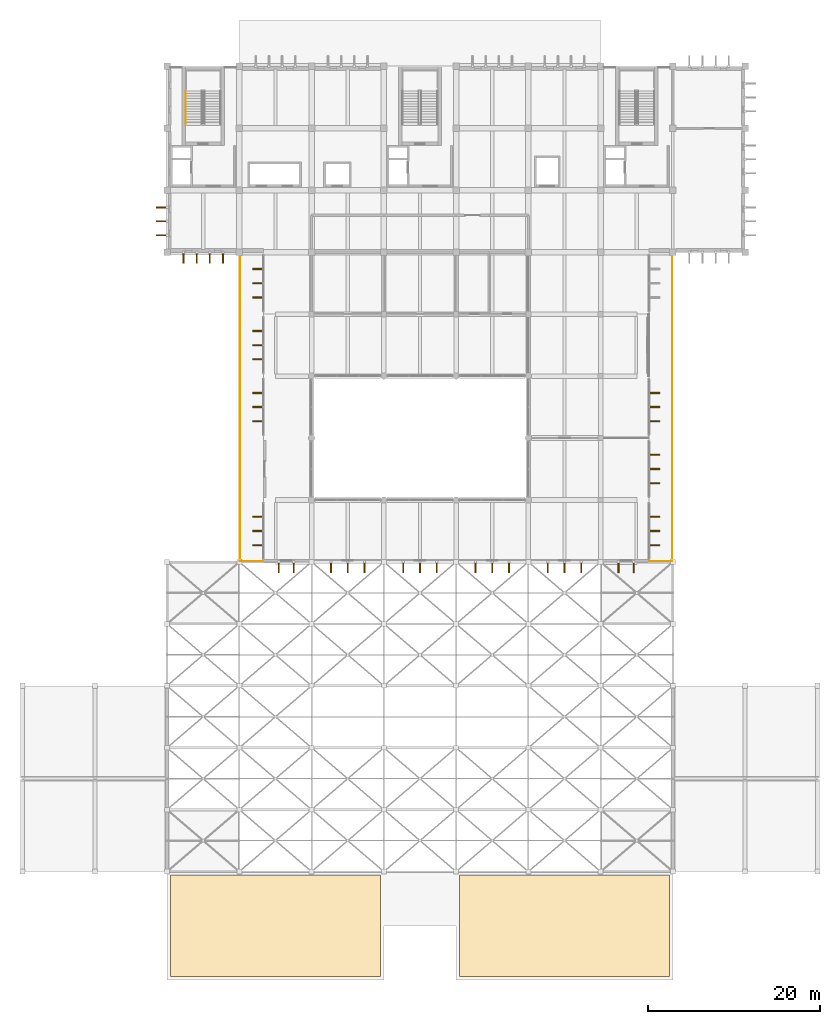
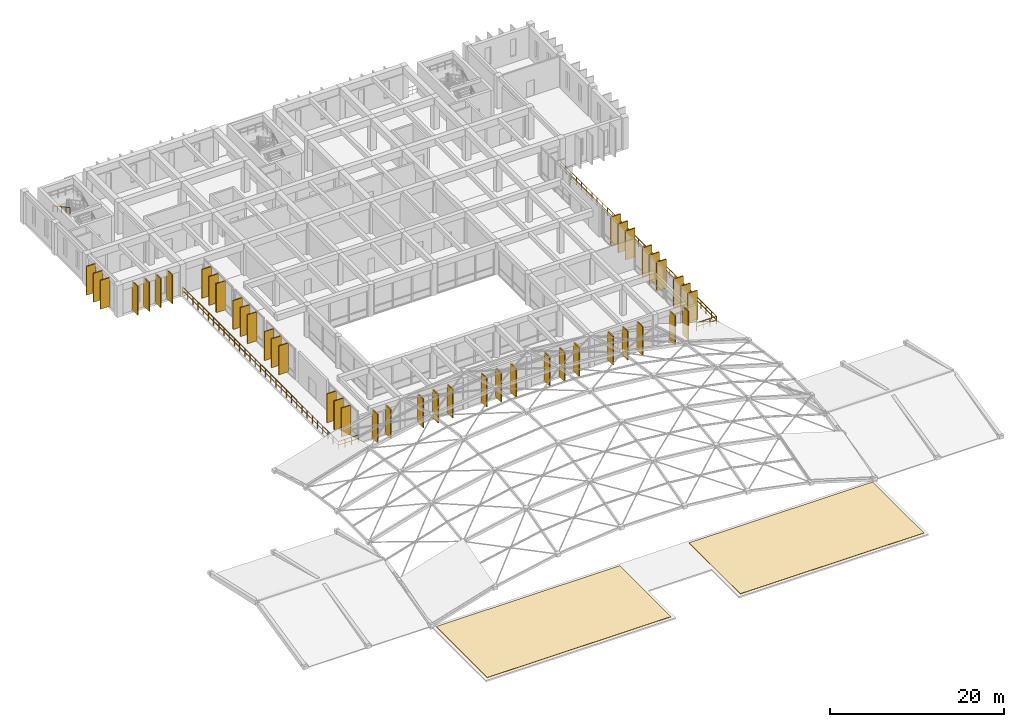
# One storey, part 21 of 23: 44 shading devices, 5 railings, 2 coverings.
"""IFC4 building model written with IfcOpenShell, lengths in metres."""

from ifc_helpers import new_model, si_unit, direction, frame, origin, origin_2d, place, context, subcontext, project, spatial, polyline, rectangle, circle, outline, extrude, material, layer, layer_set, type_object, element, save


model = new_model("IFC4")

# Units and contexts
model_context = context("Model", 3, precision=1e-05, world=origin(), true_north=direction((0.0, 1.0)))
body_context = subcontext(model_context, "Body", "Model", "MODEL_VIEW")
ifc_project = project(units=[si_unit("LENGTHUNIT", "METRE"), si_unit("AREAUNIT", "SQUARE_METRE"), si_unit("VOLUMEUNIT", "CUBIC_METRE"), si_unit("PLANEANGLEUNIT", "RADIAN"), si_unit("MASSUNIT", "GRAM", prefix="KILO")], contexts=[model_context])

# Site, building, storey
site_placement = place(None, origin())
site = spatial("IfcSite", under=ifc_project, at=site_placement, CompositionType="ELEMENT")
building_placement = place(site_placement, origin())
building = spatial("IfcBuilding", under=site, at=building_placement, Name="Kenerak Square Central Library", CompositionType="ELEMENT")
storey_placement = place(building_placement, frame((0.0, 0.0, 18.8798828125)))
storey = spatial("IfcBuildingStorey", under=building, at=storey_placement, Name="L04", CompositionType="ELEMENT", Elevation=18.8798828125)

# Coverings
ifc_material_1 = material(Name="Standing-seam zinc and rigid insulation", Category="steel")
ifc_layer = layer(ifc_material_1, 0.050048828125)
ifc_layer_set = layer_set([ifc_layer], Name="Standing-seam zinc and rigid insulation")
covering_type = type_object("IfcCoveringType", Name="Insulated Waterproofed Roof Membrane CV-ROOF", PredefinedType="ROOFING", material=ifc_layer_set)
covering_1_placement = place(storey_placement, origin())
element("IfcCovering", 1, at=covering_1_placement, inside=storey, type_object=covering_type, Name="Waterproofed Roof Membrane L04 05", PredefinedType="ROOFING", context=body_context, shape_type="SweptSolid", body=[
    extrude(outline(polyline([(58.800048828125, 4.60009765625), (83.199951171875, 4.60009765625), (83.199951171875, 16.39990234375), (58.800048828125, 16.39990234375), (58.800048828125, 4.60009765625)])), origin(), (0.0, 0.0, 1.0), 0.050048828125),
])
covering_2_placement = place(storey_placement, origin())
element("IfcCovering", 2, at=covering_2_placement, inside=storey, type_object=covering_type, Name="Waterproofed Roof Membrane L04 06", PredefinedType="ROOFING", context=body_context, shape_type="SweptSolid", body=[
    extrude(outline(polyline([(92.39990234375, 4.60009765625), (116.800048828125, 4.60009765625), (116.800048828125, 16.39990234375), (92.39990234375, 16.39990234375), (92.39990234375, 4.60009765625)])), origin(), (0.0, 0.0, 1.0), 0.050048828125),
])

# Shading devices
ifc_material_2 = material(Name="White precast concrete C40/50", Category="concrete")
shading_device_type = type_object("IfcShadingDeviceType", Name="Precast Vertical Solar Fin SF-1280 C40/50", PredefinedType="USERDEFINED", material=ifc_material_2)
for number, where, z_axis, x_axis, name in (
    (3, (112.63330078125, 52.179931640625, 0.10009765625), (0.0, 0.0, 1.0), (-1.0, 0.0, 0.0), "Precast Solar Fin FIN-01 L04 0327"),
    (4, (110.86669921875, 52.179931640625, 0.10009765625), (0.0, 0.0, 1.0), (-1.0, 0.0, 0.0), "Precast Solar Fin FIN-01 L04 0328"),
    (5, (106.550048828125, 52.179931640625, 0.10009765625), (0.0, 0.0, 1.0), (-1.0, 0.0, 0.0), "Precast Solar Fin FIN-01 L04 0329"),
    (6, (104.60009765625, 52.179931640625, 0.10009765625), (0.0, 0.0, 1.0), (-1.0, 0.0, 0.0), "Precast Solar Fin FIN-01 L04 0330"),
    (7, (102.64990234375, 52.179931640625, 0.10009765625), (0.0, 0.0, 1.0), (-1.0, 0.0, 0.0), "Precast Solar Fin FIN-01 L04 0331"),
    (8, (98.14990234375, 52.179931640625, 0.10009765625), (0.0, 0.0, 1.0), (-1.0, 0.0, 0.0), "Precast Solar Fin FIN-01 L04 0332"),
    (9, (96.199951171875, 52.179931640625, 0.10009765625), (0.0, 0.0, 1.0), (-1.0, 0.0, 0.0), "Precast Solar Fin FIN-01 L04 0333"),
    (10, (94.25, 52.179931640625, 0.10009765625), (0.0, 0.0, 1.0), (-1.0, 0.0, 0.0), "Precast Solar Fin FIN-01 L04 0334"),
    (11, (89.75, 52.179931640625, 0.10009765625), (0.0, 0.0, 1.0), (-1.0, 0.0, 0.0), "Precast Solar Fin FIN-01 L04 0335"),
    (12, (87.800048828125, 52.179931640625, 0.10009765625), (0.0, 0.0, 1.0), (-1.0, 0.0, 0.0), "Precast Solar Fin FIN-01 L04 0336"),
    (13, (85.85009765625, 52.179931640625, 0.10009765625), (0.0, 0.0, 1.0), (-1.0, 0.0, 0.0), "Precast Solar Fin FIN-01 L04 0337"),
    (14, (81.35009765625, 52.179931640625, 0.10009765625), (0.0, 0.0, 1.0), (-1.0, 0.0, 0.0), "Precast Solar Fin FIN-01 L04 0338"),
    (15, (79.39990234375, 52.179931640625, 0.10009765625), (0.0, 0.0, 1.0), (-1.0, 0.0, 0.0), "Precast Solar Fin FIN-01 L04 0339"),
    (16, (77.449951171875, 52.179931640625, 0.10009765625), (0.0, 0.0, 1.0), (-1.0, 0.0, 0.0), "Precast Solar Fin FIN-01 L04 0340"),
    (17, (73.13330078125, 52.179931640625, 0.10009765625), (0.0, 0.0, 1.0), (-1.0, 0.0, 0.0), "Precast Solar Fin FIN-01 L04 0341"),
    (18, (71.36669921875, 52.179931640625, 0.10009765625), (0.0, 0.0, 1.0), (-1.0, 0.0, 0.0), "Precast Solar Fin FIN-01 L04 0342"),
    (19, (68.97998046875, 54.75, 0.10009765625), (0.0, 0.0, 1.0), (0.0, 1.0, 0.0), "Precast Solar Fin FIN-01 L04 0343"),
    (20, (68.97998046875, 56.39990234375, 0.10009765625), (0.0, 0.0, 1.0), (0.0, 1.0, 0.0), "Precast Solar Fin FIN-01 L04 0344"),
    (21, (68.97998046875, 58.050048828125, 0.10009765625), (0.0, 0.0, 1.0), (0.0, 1.0, 0.0), "Precast Solar Fin FIN-01 L04 0345"),
    (22, (68.97998046875, 69.14990234375, 0.10009765625), (0.0, 0.0, 1.0), (0.0, 1.0, 0.0), "Precast Solar Fin FIN-01 L04 0346"),
    (23, (68.97998046875, 70.800048828125, 0.10009765625), (0.0, 0.0, 1.0), (0.0, 1.0, 0.0), "Precast Solar Fin FIN-01 L04 0347"),
    (24, (68.97998046875, 72.449951171875, 0.10009765625), (0.0, 0.0, 1.0), (0.0, 1.0, 0.0), "Precast Solar Fin FIN-01 L04 0348"),
    (25, (68.97998046875, 76.35009765625, 0.10009765625), (0.0, 0.0, 1.0), (0.0, 1.0, 0.0), "Precast Solar Fin FIN-01 L04 0349"),
    (26, (68.97998046875, 78.0, 0.10009765625), (0.0, 0.0, 1.0), (0.0, 1.0, 0.0), "Precast Solar Fin FIN-01 L04 0350"),
    (27, (68.97998046875, 79.64990234375, 0.10009765625), (0.0, 0.0, 1.0), (0.0, 1.0, 0.0), "Precast Solar Fin FIN-01 L04 0351"),
    (28, (68.97998046875, 83.550048828125, 0.10009765625), (0.0, 0.0, 1.0), (0.0, 1.0, 0.0), "Precast Solar Fin FIN-01 L04 0352"),
    (29, (68.97998046875, 85.199951171875, 0.10009765625), (0.0, 0.0, 1.0), (0.0, 1.0, 0.0), "Precast Solar Fin FIN-01 L04 0353"),
    (30, (68.97998046875, 86.85009765625, 0.10009765625), (0.0, 0.0, 1.0), (0.0, 1.0, 0.0), "Precast Solar Fin FIN-01 L04 0354"),
    (31, (64.89501953125, 88.179931640625, 0.10009765625), (0.0, 0.0, 1.0), (-1.0, 0.0, 0.0), "Precast Solar Fin FIN-01 L04 0355"),
    (32, (63.364990234375, 88.179931640625, 0.10009765625), (0.0, 0.0, 1.0), (-1.0, 0.0, 0.0), "Precast Solar Fin FIN-01 L04 0356"),
    (33, (61.8349609375, 88.179931640625, 0.10009765625), (0.0, 0.0, 1.0), (-1.0, 0.0, 0.0), "Precast Solar Fin FIN-01 L04 0357"),
    (34, (60.304931640625, 88.179931640625, 0.10009765625), (0.0, 0.0, 1.0), (-1.0, 0.0, 0.0), "Precast Solar Fin FIN-01 L04 0358"),
    (35, (57.780029296875, 90.78759765625, 0.10009765625), (0.0, 0.0, 1.0), (0.0, 1.0, 0.0), "Precast Solar Fin FIN-01 L04 0359"),
    (36, (57.780029296875, 92.39990234375, 0.10009765625), (0.0, 0.0, 1.0), (0.0, 1.0, 0.0), "Precast Solar Fin FIN-01 L04 0360"),
    (37, (57.780029296875, 94.012451171875, 0.10009765625), (0.0, 0.0, 1.0), (0.0, 1.0, 0.0), "Precast Solar Fin FIN-01 L04 0361"),
    (38, (115.02001953125, 72.449951171875, 0.10009765625), (0.0, 0.0, 1.0), (0.0, -1.0, 0.0), "Precast Solar Fin FIN-01 L04 0398"),
    (39, (115.02001953125, 70.800048828125, 0.10009765625), (0.0, 0.0, 1.0), (0.0, -1.0, 0.0), "Precast Solar Fin FIN-01 L04 0399"),
    (40, (115.02001953125, 69.14990234375, 0.10009765625), (0.0, 0.0, 1.0), (0.0, -1.0, 0.0), "Precast Solar Fin FIN-01 L04 0400"),
    (41, (115.02001953125, 65.25, 0.10009765625), (0.0, 0.0, 1.0), (0.0, -1.0, 0.0), "Precast Solar Fin FIN-01 L04 0401"),
    (42, (115.02001953125, 63.60009765625, 0.10009765625), (0.0, 0.0, 1.0), (0.0, -1.0, 0.0), "Precast Solar Fin FIN-01 L04 0402"),
    (43, (115.02001953125, 61.949951171875, 0.10009765625), (0.0, 0.0, 1.0), (0.0, -1.0, 0.0), "Precast Solar Fin FIN-01 L04 0403"),
    (44, (115.02001953125, 58.050048828125, 0.10009765625), (0.0, 0.0, 1.0), (0.0, -1.0, 0.0), "Precast Solar Fin FIN-01 L04 0404"),
    (45, (115.02001953125, 56.39990234375, 0.10009765625), (0.0, 0.0, 1.0), (0.0, -1.0, 0.0), "Precast Solar Fin FIN-01 L04 0405"),
    (46, (115.02001953125, 54.75, 0.10009765625), (0.0, 0.0, 1.0), (0.0, -1.0, 0.0), "Precast Solar Fin FIN-01 L04 0406"),
):
    element("IfcShadingDevice", number, at=place(storey_placement, frame(where, z_axis=z_axis, x_axis=x_axis)), inside=storey, type_object=shading_device_type, Name=name, ObjectType="FIN", PredefinedType="USERDEFINED", context=body_context, shape_type="SweptSolid", body=[
        extrude(rectangle(XDim=0.139892578125, YDim=1.280029296875, at=origin_2d()), origin(), (0.0, 0.0, 1.0), 4.054931640625),
    ])

# Railings
ifc_material_3 = material(Name="Steel S355", Category="steel")
railing_type_1 = type_object("IfcRailingType", Name="Safety Guardrail GR-1100 S355", PredefinedType="GUARDRAIL", material=ifc_material_3)
railing_1_placement = place(storey_placement, frame((66.8798828125, 52.8798828125, 0.0)))
element("IfcRailing", 47, at=railing_1_placement, inside=storey, type_object=railing_type_1, Name="West Court Reading Terrace L04 Guardrail W", PredefinedType="GUARDRAIL", context=body_context, shape_type="SweptSolid", body=[
    extrude(circle(Radius=0.02392578125, at=origin_2d()), frame((0.0, 0.0, 1.076171875), z_axis=(0.0, 1.0, 0.0), x_axis=(-1.0, 0.0, 0.0)), (0.0, 0.0, 1.0), 35.840087890625),
    extrude(circle(Radius=0.01806640625, at=origin_2d()), frame((0.0, 0.0, 0.572021484375), z_axis=(0.0, 1.0, 0.0), x_axis=(-1.0, 0.0, 0.0)), (0.0, 0.0, 1.0), 35.840087890625),
    extrude(circle(Radius=0.02099609375, at=origin_2d()), origin(), (0.0, 0.0, 1.0), 1.052001953125),
    extrude(circle(Radius=0.02099609375, at=origin_2d()), frame((0.0, 1.194580078125, 0.0)), (0.0, 0.0, 1.0), 1.052001953125),
    extrude(circle(Radius=0.02099609375, at=origin_2d()), frame((0.0, 2.389404296875, 0.0)), (0.0, 0.0, 1.0), 1.052001953125),
    extrude(circle(Radius=0.02099609375, at=origin_2d()), frame((0.0, 3.583984375, 0.0)), (0.0, 0.0, 1.0), 1.052001953125),
    extrude(circle(Radius=0.02099609375, at=origin_2d()), frame((0.0, 4.778564453125, 0.0)), (0.0, 0.0, 1.0), 1.052001953125),
    extrude(circle(Radius=0.02099609375, at=origin_2d()), frame((0.0, 5.973388671875, 0.0)), (0.0, 0.0, 1.0), 1.052001953125),
    extrude(circle(Radius=0.02099609375, at=origin_2d()), frame((0.0, 7.16796875, 0.0)), (0.0, 0.0, 1.0), 1.052001953125),
    extrude(circle(Radius=0.02099609375, at=origin_2d()), frame((0.0, 8.36279296875, 0.0)), (0.0, 0.0, 1.0), 1.052001953125),
    extrude(circle(Radius=0.02099609375, at=origin_2d()), frame((0.0, 9.557373046875, 0.0)), (0.0, 0.0, 1.0), 1.052001953125),
    extrude(circle(Radius=0.02099609375, at=origin_2d()), frame((0.0, 10.751953125, 0.0)), (0.0, 0.0, 1.0), 1.052001953125),
    extrude(circle(Radius=0.02099609375, at=origin_2d()), frame((0.0, 11.94677734375, 0.0)), (0.0, 0.0, 1.0), 1.052001953125),
    extrude(circle(Radius=0.02099609375, at=origin_2d()), frame((0.0, 13.141357421875, 0.0)), (0.0, 0.0, 1.0), 1.052001953125),
    extrude(circle(Radius=0.02099609375, at=origin_2d()), frame((0.0, 14.3359375, 0.0)), (0.0, 0.0, 1.0), 1.052001953125),
    extrude(circle(Radius=0.02099609375, at=origin_2d()), frame((0.0, 15.53076171875, 0.0)), (0.0, 0.0, 1.0), 1.052001953125),
    extrude(circle(Radius=0.02099609375, at=origin_2d()), frame((0.0, 16.725341796875, 0.0)), (0.0, 0.0, 1.0), 1.052001953125),
    extrude(circle(Radius=0.02099609375, at=origin_2d()), frame((0.0, 17.919921875, 0.0)), (0.0, 0.0, 1.0), 1.052001953125),
    extrude(circle(Radius=0.02099609375, at=origin_2d()), frame((0.0, 19.11474609375, 0.0)), (0.0, 0.0, 1.0), 1.052001953125),
    extrude(circle(Radius=0.02099609375, at=origin_2d()), frame((0.0, 20.309326171875, 0.0)), (0.0, 0.0, 1.0), 1.052001953125),
    extrude(circle(Radius=0.02099609375, at=origin_2d()), frame((0.0, 21.504150390625, 0.0)), (0.0, 0.0, 1.0), 1.052001953125),
    extrude(circle(Radius=0.02099609375, at=origin_2d()), frame((0.0, 22.69873046875, 0.0)), (0.0, 0.0, 1.0), 1.052001953125),
    extrude(circle(Radius=0.02099609375, at=origin_2d()), frame((0.0, 23.893310546875, 0.0)), (0.0, 0.0, 1.0), 1.052001953125),
    extrude(circle(Radius=0.02099609375, at=origin_2d()), frame((0.0, 25.088134765625, 0.0)), (0.0, 0.0, 1.0), 1.052001953125),
    extrude(circle(Radius=0.02099609375, at=origin_2d()), frame((0.0, 26.28271484375, 0.0)), (0.0, 0.0, 1.0), 1.052001953125),
    extrude(circle(Radius=0.02099609375, at=origin_2d()), frame((0.0, 27.477294921875, 0.0)), (0.0, 0.0, 1.0), 1.052001953125),
    extrude(circle(Radius=0.02099609375, at=origin_2d()), frame((0.0, 28.672119140625, 0.0)), (0.0, 0.0, 1.0), 1.052001953125),
    extrude(circle(Radius=0.02099609375, at=origin_2d()), frame((0.0, 29.86669921875, 0.0)), (0.0, 0.0, 1.0), 1.052001953125),
    extrude(circle(Radius=0.02099609375, at=origin_2d()), frame((0.0, 31.0615234375, 0.0)), (0.0, 0.0, 1.0), 1.052001953125),
    extrude(circle(Radius=0.02099609375, at=origin_2d()), frame((0.0, 32.256103515625, 0.0)), (0.0, 0.0, 1.0), 1.052001953125),
    extrude(circle(Radius=0.02099609375, at=origin_2d()), frame((0.0, 33.45068359375, 0.0)), (0.0, 0.0, 1.0), 1.052001953125),
    extrude(circle(Radius=0.02099609375, at=origin_2d()), frame((0.0, 34.6455078125, 0.0)), (0.0, 0.0, 1.0), 1.052001953125),
    extrude(circle(Radius=0.02099609375, at=origin_2d()), frame((0.0, 35.840087890625, 0.0)), (0.0, 0.0, 1.0), 1.052001953125),
])
railing_2_placement = place(storey_placement, frame((66.8798828125, 52.8798828125, 0.0)))
element("IfcRailing", 48, at=railing_2_placement, inside=storey, type_object=railing_type_1, Name="West Court Reading Terrace L04 Guardrail S", PredefinedType="GUARDRAIL", context=body_context, shape_type="SweptSolid", body=[
    extrude(circle(Radius=0.02392578125, at=origin_2d()), frame((0.0, 0.0, 1.076171875), z_axis=(1.0, 0.0, 0.0), x_axis=(0.0, 1.0, 0.0)), (0.0, 0.0, 1.0), 2.64013671875),
    extrude(circle(Radius=0.01806640625, at=origin_2d()), frame((0.0, 0.0, 0.572021484375), z_axis=(1.0, 0.0, 0.0), x_axis=(0.0, 1.0, 0.0)), (0.0, 0.0, 1.0), 2.64013671875),
    extrude(circle(Radius=0.02099609375, at=origin_2d()), origin(), (0.0, 0.0, 1.0), 1.052001953125),
    extrude(circle(Radius=0.02099609375, at=origin_2d()), frame((0.880126953125, 0.0, 0.0)), (0.0, 0.0, 1.0), 1.052001953125),
    extrude(circle(Radius=0.02099609375, at=origin_2d()), frame((1.760009765625, 0.0, 0.0)), (0.0, 0.0, 1.0), 1.052001953125),
    extrude(circle(Radius=0.02099609375, at=origin_2d()), frame((2.64013671875, 0.0, 0.0)), (0.0, 0.0, 1.0), 1.052001953125),
])
railing_3_placement = place(storey_placement, frame((117.1201171875, 52.8798828125, 0.0)))
element("IfcRailing", 49, at=railing_3_placement, inside=storey, type_object=railing_type_1, Name="East Court Reading Terrace L04 Guardrail E", PredefinedType="GUARDRAIL", context=body_context, shape_type="SweptSolid", body=[
    extrude(circle(Radius=0.02392578125, at=origin_2d()), frame((0.0, 0.0, 1.076171875), z_axis=(0.0, 1.0, 0.0), x_axis=(-1.0, 0.0, 0.0)), (0.0, 0.0, 1.0), 35.840087890625),
    extrude(circle(Radius=0.01806640625, at=origin_2d()), frame((0.0, 0.0, 0.572021484375), z_axis=(0.0, 1.0, 0.0), x_axis=(-1.0, 0.0, 0.0)), (0.0, 0.0, 1.0), 35.840087890625),
    extrude(circle(Radius=0.02099609375, at=origin_2d()), origin(), (0.0, 0.0, 1.0), 1.052001953125),
    extrude(circle(Radius=0.02099609375, at=origin_2d()), frame((0.0, 1.194580078125, 0.0)), (0.0, 0.0, 1.0), 1.052001953125),
    extrude(circle(Radius=0.02099609375, at=origin_2d()), frame((0.0, 2.389404296875, 0.0)), (0.0, 0.0, 1.0), 1.052001953125),
    extrude(circle(Radius=0.02099609375, at=origin_2d()), frame((0.0, 3.583984375, 0.0)), (0.0, 0.0, 1.0), 1.052001953125),
    extrude(circle(Radius=0.02099609375, at=origin_2d()), frame((0.0, 4.778564453125, 0.0)), (0.0, 0.0, 1.0), 1.052001953125),
    extrude(circle(Radius=0.02099609375, at=origin_2d()), frame((0.0, 5.973388671875, 0.0)), (0.0, 0.0, 1.0), 1.052001953125),
    extrude(circle(Radius=0.02099609375, at=origin_2d()), frame((0.0, 7.16796875, 0.0)), (0.0, 0.0, 1.0), 1.052001953125),
    extrude(circle(Radius=0.02099609375, at=origin_2d()), frame((0.0, 8.36279296875, 0.0)), (0.0, 0.0, 1.0), 1.052001953125),
    extrude(circle(Radius=0.02099609375, at=origin_2d()), frame((0.0, 9.557373046875, 0.0)), (0.0, 0.0, 1.0), 1.052001953125),
    extrude(circle(Radius=0.02099609375, at=origin_2d()), frame((0.0, 10.751953125, 0.0)), (0.0, 0.0, 1.0), 1.052001953125),
    extrude(circle(Radius=0.02099609375, at=origin_2d()), frame((0.0, 11.94677734375, 0.0)), (0.0, 0.0, 1.0), 1.052001953125),
    extrude(circle(Radius=0.02099609375, at=origin_2d()), frame((0.0, 13.141357421875, 0.0)), (0.0, 0.0, 1.0), 1.052001953125),
    extrude(circle(Radius=0.02099609375, at=origin_2d()), frame((0.0, 14.3359375, 0.0)), (0.0, 0.0, 1.0), 1.052001953125),
    extrude(circle(Radius=0.02099609375, at=origin_2d()), frame((0.0, 15.53076171875, 0.0)), (0.0, 0.0, 1.0), 1.052001953125),
    extrude(circle(Radius=0.02099609375, at=origin_2d()), frame((0.0, 16.725341796875, 0.0)), (0.0, 0.0, 1.0), 1.052001953125),
    extrude(circle(Radius=0.02099609375, at=origin_2d()), frame((0.0, 17.919921875, 0.0)), (0.0, 0.0, 1.0), 1.052001953125),
    extrude(circle(Radius=0.02099609375, at=origin_2d()), frame((0.0, 19.11474609375, 0.0)), (0.0, 0.0, 1.0), 1.052001953125),
    extrude(circle(Radius=0.02099609375, at=origin_2d()), frame((0.0, 20.309326171875, 0.0)), (0.0, 0.0, 1.0), 1.052001953125),
    extrude(circle(Radius=0.02099609375, at=origin_2d()), frame((0.0, 21.504150390625, 0.0)), (0.0, 0.0, 1.0), 1.052001953125),
    extrude(circle(Radius=0.02099609375, at=origin_2d()), frame((0.0, 22.69873046875, 0.0)), (0.0, 0.0, 1.0), 1.052001953125),
    extrude(circle(Radius=0.02099609375, at=origin_2d()), frame((0.0, 23.893310546875, 0.0)), (0.0, 0.0, 1.0), 1.052001953125),
    extrude(circle(Radius=0.02099609375, at=origin_2d()), frame((0.0, 25.088134765625, 0.0)), (0.0, 0.0, 1.0), 1.052001953125),
    extrude(circle(Radius=0.02099609375, at=origin_2d()), frame((0.0, 26.28271484375, 0.0)), (0.0, 0.0, 1.0), 1.052001953125),
    extrude(circle(Radius=0.02099609375, at=origin_2d()), frame((0.0, 27.477294921875, 0.0)), (0.0, 0.0, 1.0), 1.052001953125),
    extrude(circle(Radius=0.02099609375, at=origin_2d()), frame((0.0, 28.672119140625, 0.0)), (0.0, 0.0, 1.0), 1.052001953125),
    extrude(circle(Radius=0.02099609375, at=origin_2d()), frame((0.0, 29.86669921875, 0.0)), (0.0, 0.0, 1.0), 1.052001953125),
    extrude(circle(Radius=0.02099609375, at=origin_2d()), frame((0.0, 31.0615234375, 0.0)), (0.0, 0.0, 1.0), 1.052001953125),
    extrude(circle(Radius=0.02099609375, at=origin_2d()), frame((0.0, 32.256103515625, 0.0)), (0.0, 0.0, 1.0), 1.052001953125),
    extrude(circle(Radius=0.02099609375, at=origin_2d()), frame((0.0, 33.45068359375, 0.0)), (0.0, 0.0, 1.0), 1.052001953125),
    extrude(circle(Radius=0.02099609375, at=origin_2d()), frame((0.0, 34.6455078125, 0.0)), (0.0, 0.0, 1.0), 1.052001953125),
    extrude(circle(Radius=0.02099609375, at=origin_2d()), frame((0.0, 35.840087890625, 0.0)), (0.0, 0.0, 1.0), 1.052001953125),
])
railing_4_placement = place(storey_placement, frame((114.47998046875, 52.8798828125, 0.0)))
element("IfcRailing", 50, at=railing_4_placement, inside=storey, type_object=railing_type_1, Name="East Court Reading Terrace L04 Guardrail S", PredefinedType="GUARDRAIL", context=body_context, shape_type="SweptSolid", body=[
    extrude(circle(Radius=0.02392578125, at=origin_2d()), frame((0.0, 0.0, 1.076171875), z_axis=(1.0, 0.0, 0.0), x_axis=(0.0, 1.0, 0.0)), (0.0, 0.0, 1.0), 2.64013671875),
    extrude(circle(Radius=0.01806640625, at=origin_2d()), frame((0.0, 0.0, 0.572021484375), z_axis=(1.0, 0.0, 0.0), x_axis=(0.0, 1.0, 0.0)), (0.0, 0.0, 1.0), 2.64013671875),
    extrude(circle(Radius=0.02099609375, at=origin_2d()), origin(), (0.0, 0.0, 1.0), 1.052001953125),
    extrude(circle(Radius=0.02099609375, at=origin_2d()), frame((0.880126953125, 0.0, 0.0)), (0.0, 0.0, 1.0), 1.052001953125),
    extrude(circle(Radius=0.02099609375, at=origin_2d()), frame((1.760009765625, 0.0, 0.0)), (0.0, 0.0, 1.0), 1.052001953125),
    extrude(circle(Radius=0.02099609375, at=origin_2d()), frame((2.64013671875, 0.0, 0.0)), (0.0, 0.0, 1.0), 1.052001953125),
])
railing_type_2 = type_object("IfcRailingType", Name="Stair Handrail HR-880 S355", PredefinedType="HANDRAIL", material=ifc_material_3)
railing_5_placement = place(storey_placement, frame((60.570068359375, 107.550048828125, 2.400146484375)))
element("IfcRailing", 51, at=railing_5_placement, inside=storey, type_object=railing_type_2, Name="L04 ST-01 stair handrail 2", PredefinedType="HANDRAIL", context=body_context, shape_type="SweptSolid", body=[
    extrude(circle(Radius=0.02392578125, at=origin_2d()), frame((0.0, 0.0, 0.85595703125), z_axis=(0.0, -0.882352941176, 0.470588235294), x_axis=(1.0, 0.0, 0.0)), (0.0, 0.0, 1.0), 4.420166015625),
    extrude(circle(Radius=0.02099609375, at=origin_2d()), origin(), (0.0, 0.0, 1.0), 0.831787109375),
    extrude(circle(Radius=0.02099609375, at=origin_2d()), frame((0.0, -0.97509765625, 0.52001953125)), (0.0, 0.0, 1.0), 0.831787109375),
    extrude(circle(Radius=0.02099609375, at=origin_2d()), frame((0.0, -1.9501953125, 1.0400390625)), (0.0, 0.0, 1.0), 0.831787109375),
    extrude(circle(Radius=0.02099609375, at=origin_2d()), frame((0.0, -2.925048828125, 1.56005859375)), (0.0, 0.0, 1.0), 0.831787109375),
    extrude(circle(Radius=0.02099609375, at=origin_2d()), frame((0.0, -3.900146484375, 2.080078125)), (0.0, 0.0, 1.0), 0.831787109375),
])

save(model, "model.ifc")
